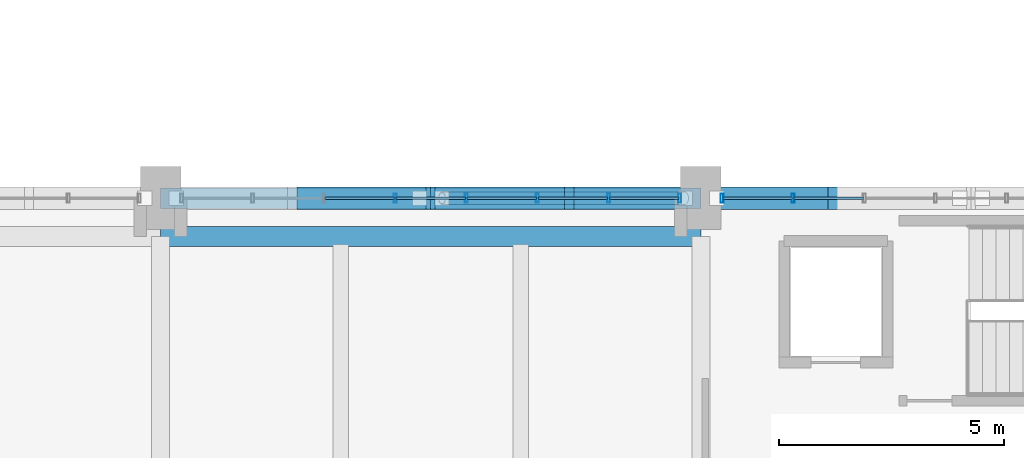
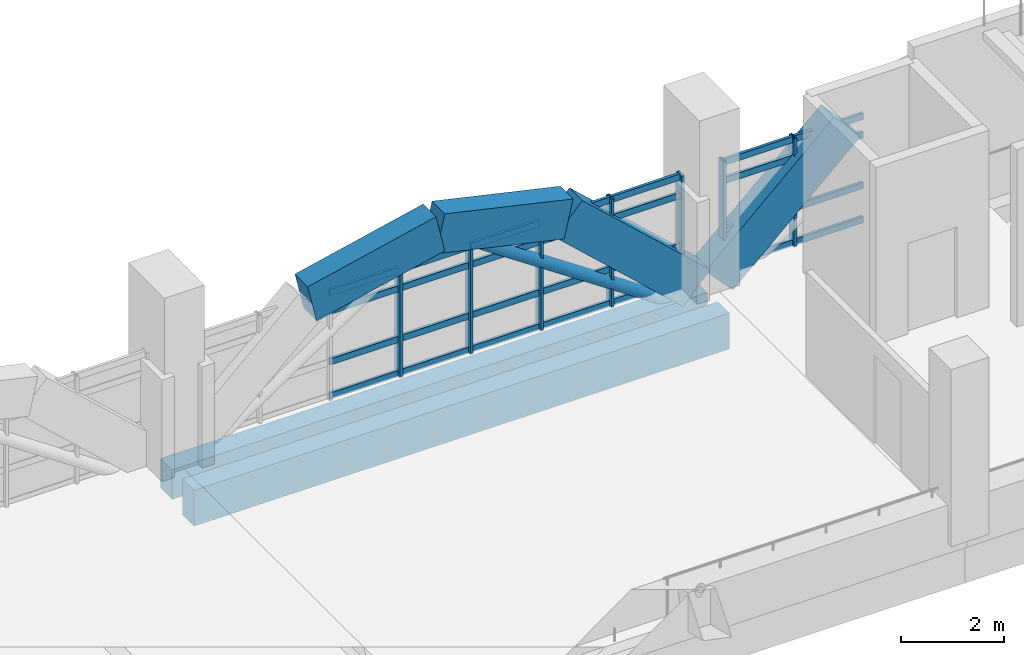
# One storey, part 59 of 161: 36 members, 6 beams, 2 elements without a shape of their own.
"""IFC4 building model written with IfcOpenShell, lengths in metres."""

from ifc_helpers import new_model, si_unit, direction, frame, origin, origin_2d, place, context, subcontext, project, spatial, rectangle, hollow_rectangle, hollow_circle, extrude, material, layer, layer_set, material_profile, profile_set, type_object, element, aggregate, save


model = new_model("IFC4")

# Units and contexts
model_context = context("Model", 3, precision=1e-05, world=origin(), true_north=direction((0.0, 1.0)))
body_context = subcontext(model_context, "Body", "Model", "MODEL_VIEW")
ifc_project = project(units=[si_unit("LENGTHUNIT", "METRE"), si_unit("AREAUNIT", "SQUARE_METRE"), si_unit("VOLUMEUNIT", "CUBIC_METRE"), si_unit("PLANEANGLEUNIT", "RADIAN"), si_unit("MASSUNIT", "GRAM", prefix="KILO")], contexts=[model_context])

# Site, building, storey
site_placement = place(None, origin())
site = spatial("IfcSite", under=ifc_project, at=site_placement, CompositionType="ELEMENT")
building_placement = place(site_placement, origin())
building = spatial("IfcBuilding", under=site, at=building_placement, Name="Mersad Railyard Sports Hall", CompositionType="ELEMENT")
storey_placement = place(building_placement, frame((0.0, 0.0, 4.800048828125)))
storey = spatial("IfcBuildingStorey", under=building, at=storey_placement, Name="L01", CompositionType="ELEMENT", Elevation=4.800048828125)

# Curtain wall, members
ifc_material_1 = material(Name="Aluminium 6063-T6", Category="aluminium")
ifc_layer = layer(ifc_material_1, 0.199951171875)
ifc_layer_set = layer_set([ifc_layer], Name="Aluminium 6063-T6")
curtain_wall_type = type_object("IfcCurtainWallType", Name="ARC-CW-CW02", PredefinedType="USERDEFINED", material=ifc_layer_set)
curtain_wall_1_placement = place(storey_placement, origin())
curtain_wall_1 = element("IfcCurtainWall", 1, at=curtain_wall_1_placement, inside=storey, type_object=curtain_wall_type, Name="Curtain wall CW02-0018", ObjectType="CURTAIN WALL", PredefinedType="USERDEFINED")
ifc_material_profile_1 = material_profile(ifc_material_1, hollow_rectangle(XDim=0.06494140625, YDim=0.199951171875, WallThickness=0.0048828125, at=origin_2d()), Name="AL MULLION 65x200x5")
ifc_profile_set_1 = profile_set([ifc_material_profile_1], Name="Aluminium 6063-T6")
member_type_1 = type_object("IfcMemberType", Name="ARC-CW-MUL02", PredefinedType="MULLION", material=ifc_profile_set_1)
member_1_placement = place(storey_placement, frame((72.2099609375, 53.5, -0.02001953125), z_axis=(0.0, 0.0, 1.0), x_axis=(1.0, 0.0, 0.0)))
member_1 = element("IfcMember", 2, at=member_1_placement, type_object=member_type_1, Name="CW02 Mullion 4", PredefinedType="MULLION", context=body_context, shape_type="SweptSolid", body=[
    extrude(hollow_rectangle(XDim=0.06494140625, YDim=0.199951171875, WallThickness=0.0048828125, at=origin_2d()), origin(), (0.0, 0.0, 1.0), 2.570068359375),
])
member_2_placement = place(storey_placement, frame((73.7900390625, 53.5, -0.02001953125), z_axis=(0.0, 0.0, 1.0), x_axis=(1.0, 0.0, 0.0)))
member_2 = element("IfcMember", 3, at=member_2_placement, type_object=member_type_1, Name="CW02 Mullion 5", PredefinedType="MULLION", context=body_context, shape_type="SweptSolid", body=[
    extrude(hollow_rectangle(XDim=0.06494140625, YDim=0.199951171875, WallThickness=0.0048828125, at=origin_2d()), origin(), (0.0, 0.0, 1.0), 2.570068359375),
])
member_3_placement = place(storey_placement, frame((75.3701171875, 53.5, -0.02001953125), z_axis=(0.0, 0.0, 1.0), x_axis=(1.0, 0.0, 0.0)))
member_3 = element("IfcMember", 4, at=member_3_placement, type_object=member_type_1, Name="CW02 Mullion 6", PredefinedType="MULLION", context=body_context, shape_type="SweptSolid", body=[
    extrude(hollow_rectangle(XDim=0.06494140625, YDim=0.199951171875, WallThickness=0.0048828125, at=origin_2d()), origin(), (0.0, 0.0, 1.0), 2.570068359375),
])
member_4_placement = place(storey_placement, frame((76.949951171875, 53.5, -0.02001953125), z_axis=(0.0, 0.0, 1.0), x_axis=(1.0, 0.0, 0.0)))
member_4 = element("IfcMember", 5, at=member_4_placement, type_object=member_type_1, Name="CW02 Mullion 7", PredefinedType="MULLION", context=body_context, shape_type="SweptSolid", body=[
    extrude(hollow_rectangle(XDim=0.06494140625, YDim=0.199951171875, WallThickness=0.0048828125, at=origin_2d()), origin(), (0.0, 0.0, 1.0), 2.570068359375),
])
member_5_placement = place(storey_placement, frame((78.530029296875, 53.5, -0.02001953125), z_axis=(0.0, 0.0, 1.0), x_axis=(1.0, 0.0, 0.0)))
member_5 = element("IfcMember", 6, at=member_5_placement, type_object=member_type_1, Name="CW02 Mullion 8", PredefinedType="MULLION", context=body_context, shape_type="SweptSolid", body=[
    extrude(hollow_rectangle(XDim=0.06494140625, YDim=0.199951171875, WallThickness=0.0048828125, at=origin_2d()), origin(), (0.0, 0.0, 1.0), 2.570068359375),
])

curtain_wall_2_placement = place(storey_placement, origin())
curtain_wall_2 = element("IfcCurtainWall", 7, at=curtain_wall_2_placement, inside=storey, type_object=curtain_wall_type, Name="Curtain wall CW02-0022", ObjectType="CURTAIN WALL", PredefinedType="USERDEFINED")
member_6_placement = place(storey_placement, frame((79.469970703125, 53.5, -0.02001953125), z_axis=(0.0, 0.0, 1.0), x_axis=(1.0, 0.0, 0.0)))
member_6 = element("IfcMember", 8, at=member_6_placement, type_object=member_type_1, Name="CW02 Mullion 1", PredefinedType="MULLION", context=body_context, shape_type="SweptSolid", body=[
    extrude(hollow_rectangle(XDim=0.06494140625, YDim=0.199951171875, WallThickness=0.0048828125, at=origin_2d()), origin(), (0.0, 0.0, 1.0), 2.570068359375),
])
member_7_placement = place(storey_placement, frame((81.050048828125, 53.5, -0.02001953125), z_axis=(0.0, 0.0, 1.0), x_axis=(1.0, 0.0, 0.0)))
member_7 = element("IfcMember", 9, at=member_7_placement, type_object=member_type_1, Name="CW02 Mullion 2", PredefinedType="MULLION", context=body_context, shape_type="SweptSolid", body=[
    extrude(hollow_rectangle(XDim=0.06494140625, YDim=0.199951171875, WallThickness=0.0048828125, at=origin_2d()), origin(), (0.0, 0.0, 1.0), 2.570068359375),
])

# Member
ifc_material_profile_2 = material_profile(ifc_material_1, hollow_rectangle(XDim=0.06494140625, YDim=0.14990234375, WallThickness=0.00439453125, at=origin_2d()), Name="AL TRANSOM 65x150x4.5")
ifc_profile_set_2 = profile_set([ifc_material_profile_2], Name="Aluminium 6063-T6")
member_type_2 = type_object("IfcMemberType", Name="ARC-CW-TRN02", PredefinedType="USERDEFINED", material=ifc_profile_set_2)
member_8_placement = place(storey_placement, frame((70.64990234375, 53.5, 0.0400390625), z_axis=(1.0, 0.0, 0.0), x_axis=(0.0, 1.0, 0.0)))
member_8 = element("IfcMember", 10, at=member_8_placement, type_object=member_type_2, Name="CW02 Transom 1-3", ObjectType="TRANSOM", PredefinedType="USERDEFINED", context=body_context, shape_type="SweptSolid", body=[
    extrude(hollow_rectangle(XDim=0.06494140625, YDim=0.14990234375, WallThickness=0.00439453125, at=origin_2d()), origin(), (0.0, 0.0, 1.0), 1.5400390625),
])

member_9_placement = place(storey_placement, frame((72.22998046875, 53.5, 0.0400390625), z_axis=(1.0, 0.0, 0.0), x_axis=(0.0, 1.0, 0.0)))
member_9 = element("IfcMember", 11, at=member_9_placement, type_object=member_type_2, Name="CW02 Transom 1-4", ObjectType="TRANSOM", PredefinedType="USERDEFINED", context=body_context, shape_type="SweptSolid", body=[
    extrude(hollow_rectangle(XDim=0.06494140625, YDim=0.14990234375, WallThickness=0.00439453125, at=origin_2d()), origin(), (0.0, 0.0, 1.0), 1.5400390625),
])

member_10_placement = place(storey_placement, frame((73.81005859375, 53.5, 0.0400390625), z_axis=(1.0, 0.0, 0.0), x_axis=(0.0, 1.0, 0.0)))
member_10 = element("IfcMember", 12, at=member_10_placement, type_object=member_type_2, Name="CW02 Transom 1-5", ObjectType="TRANSOM", PredefinedType="USERDEFINED", context=body_context, shape_type="SweptSolid", body=[
    extrude(hollow_rectangle(XDim=0.06494140625, YDim=0.14990234375, WallThickness=0.00439453125, at=origin_2d()), origin(), (0.0, 0.0, 1.0), 1.5400390625),
])

member_11_placement = place(storey_placement, frame((75.389892578125, 53.5, 0.0400390625), z_axis=(1.0, 0.0, 0.0), x_axis=(0.0, 1.0, 0.0)))
member_11 = element("IfcMember", 13, at=member_11_placement, type_object=member_type_2, Name="CW02 Transom 1-6", ObjectType="TRANSOM", PredefinedType="USERDEFINED", context=body_context, shape_type="SweptSolid", body=[
    extrude(hollow_rectangle(XDim=0.06494140625, YDim=0.14990234375, WallThickness=0.00439453125, at=origin_2d()), origin(), (0.0, 0.0, 1.0), 1.5400390625),
])

member_12_placement = place(storey_placement, frame((76.969970703125, 53.5, 0.0400390625), z_axis=(1.0, 0.0, 0.0), x_axis=(0.0, 1.0, 0.0)))
member_12 = element("IfcMember", 14, at=member_12_placement, type_object=member_type_2, Name="CW02 Transom 1-7", ObjectType="TRANSOM", PredefinedType="USERDEFINED", context=body_context, shape_type="SweptSolid", body=[
    extrude(hollow_rectangle(XDim=0.06494140625, YDim=0.14990234375, WallThickness=0.00439453125, at=origin_2d()), origin(), (0.0, 0.0, 1.0), 1.5400390625),
])

member_13_placement = place(storey_placement, frame((70.64990234375, 53.5, 0.849853515625), z_axis=(1.0, 0.0, 0.0), x_axis=(0.0, 1.0, 0.0)))
member_13 = element("IfcMember", 15, at=member_13_placement, type_object=member_type_2, Name="CW02 Transom 2-3", ObjectType="TRANSOM", PredefinedType="USERDEFINED", context=body_context, shape_type="SweptSolid", body=[
    extrude(hollow_rectangle(XDim=0.06494140625, YDim=0.14990234375, WallThickness=0.00439453125, at=origin_2d()), origin(), (0.0, 0.0, 1.0), 1.5400390625),
])

member_14_placement = place(storey_placement, frame((72.22998046875, 53.5, 0.849853515625), z_axis=(1.0, 0.0, 0.0), x_axis=(0.0, 1.0, 0.0)))
member_14 = element("IfcMember", 16, at=member_14_placement, type_object=member_type_2, Name="CW02 Transom 2-4", ObjectType="TRANSOM", PredefinedType="USERDEFINED", context=body_context, shape_type="SweptSolid", body=[
    extrude(hollow_rectangle(XDim=0.06494140625, YDim=0.14990234375, WallThickness=0.00439453125, at=origin_2d()), origin(), (0.0, 0.0, 1.0), 1.5400390625),
])

member_15_placement = place(storey_placement, frame((73.81005859375, 53.5, 0.849853515625), z_axis=(1.0, 0.0, 0.0), x_axis=(0.0, 1.0, 0.0)))
member_15 = element("IfcMember", 17, at=member_15_placement, type_object=member_type_2, Name="CW02 Transom 2-5", ObjectType="TRANSOM", PredefinedType="USERDEFINED", context=body_context, shape_type="SweptSolid", body=[
    extrude(hollow_rectangle(XDim=0.06494140625, YDim=0.14990234375, WallThickness=0.00439453125, at=origin_2d()), origin(), (0.0, 0.0, 1.0), 1.5400390625),
])

member_16_placement = place(storey_placement, frame((75.389892578125, 53.5, 0.849853515625), z_axis=(1.0, 0.0, 0.0), x_axis=(0.0, 1.0, 0.0)))
member_16 = element("IfcMember", 18, at=member_16_placement, type_object=member_type_2, Name="CW02 Transom 2-6", ObjectType="TRANSOM", PredefinedType="USERDEFINED", context=body_context, shape_type="SweptSolid", body=[
    extrude(hollow_rectangle(XDim=0.06494140625, YDim=0.14990234375, WallThickness=0.00439453125, at=origin_2d()), origin(), (0.0, 0.0, 1.0), 1.5400390625),
])

member_17_placement = place(storey_placement, frame((76.969970703125, 53.5, 0.849853515625), z_axis=(1.0, 0.0, 0.0), x_axis=(0.0, 1.0, 0.0)))
member_17 = element("IfcMember", 19, at=member_17_placement, type_object=member_type_2, Name="CW02 Transom 2-7", ObjectType="TRANSOM", PredefinedType="USERDEFINED", context=body_context, shape_type="SweptSolid", body=[
    extrude(hollow_rectangle(XDim=0.06494140625, YDim=0.14990234375, WallThickness=0.00439453125, at=origin_2d()), origin(), (0.0, 0.0, 1.0), 1.5400390625),
])

member_18_placement = place(storey_placement, frame((70.64990234375, 53.5, 2.050048828125), z_axis=(1.0, 0.0, 0.0), x_axis=(0.0, 1.0, 0.0)))
member_18 = element("IfcMember", 20, at=member_18_placement, type_object=member_type_2, Name="CW02 Transom 3-3", ObjectType="TRANSOM", PredefinedType="USERDEFINED", context=body_context, shape_type="SweptSolid", body=[
    extrude(hollow_rectangle(XDim=0.06494140625, YDim=0.14990234375, WallThickness=0.00439453125, at=origin_2d()), origin(), (0.0, 0.0, 1.0), 1.5400390625),
])

member_19_placement = place(storey_placement, frame((72.22998046875, 53.5, 2.050048828125), z_axis=(1.0, 0.0, 0.0), x_axis=(0.0, 1.0, 0.0)))
member_19 = element("IfcMember", 21, at=member_19_placement, type_object=member_type_2, Name="CW02 Transom 3-4", ObjectType="TRANSOM", PredefinedType="USERDEFINED", context=body_context, shape_type="SweptSolid", body=[
    extrude(hollow_rectangle(XDim=0.06494140625, YDim=0.14990234375, WallThickness=0.00439453125, at=origin_2d()), origin(), (0.0, 0.0, 1.0), 1.5400390625),
])

member_20_placement = place(storey_placement, frame((73.81005859375, 53.5, 2.050048828125), z_axis=(1.0, 0.0, 0.0), x_axis=(0.0, 1.0, 0.0)))
member_20 = element("IfcMember", 22, at=member_20_placement, type_object=member_type_2, Name="CW02 Transom 3-5", ObjectType="TRANSOM", PredefinedType="USERDEFINED", context=body_context, shape_type="SweptSolid", body=[
    extrude(hollow_rectangle(XDim=0.06494140625, YDim=0.14990234375, WallThickness=0.00439453125, at=origin_2d()), origin(), (0.0, 0.0, 1.0), 1.5400390625),
])

member_21_placement = place(storey_placement, frame((75.389892578125, 53.5, 2.050048828125), z_axis=(1.0, 0.0, 0.0), x_axis=(0.0, 1.0, 0.0)))
member_21 = element("IfcMember", 23, at=member_21_placement, type_object=member_type_2, Name="CW02 Transom 3-6", ObjectType="TRANSOM", PredefinedType="USERDEFINED", context=body_context, shape_type="SweptSolid", body=[
    extrude(hollow_rectangle(XDim=0.06494140625, YDim=0.14990234375, WallThickness=0.00439453125, at=origin_2d()), origin(), (0.0, 0.0, 1.0), 1.5400390625),
])

member_22_placement = place(storey_placement, frame((76.969970703125, 53.5, 2.050048828125), z_axis=(1.0, 0.0, 0.0), x_axis=(0.0, 1.0, 0.0)))
member_22 = element("IfcMember", 24, at=member_22_placement, type_object=member_type_2, Name="CW02 Transom 3-7", ObjectType="TRANSOM", PredefinedType="USERDEFINED", context=body_context, shape_type="SweptSolid", body=[
    extrude(hollow_rectangle(XDim=0.06494140625, YDim=0.14990234375, WallThickness=0.00439453125, at=origin_2d()), origin(), (0.0, 0.0, 1.0), 1.5400390625),
])

member_23_placement = place(storey_placement, frame((70.64990234375, 53.5, 2.489990234375), z_axis=(1.0, 0.0, 0.0), x_axis=(0.0, 1.0, 0.0)))
member_23 = element("IfcMember", 25, at=member_23_placement, type_object=member_type_2, Name="CW02 Transom 4-3", ObjectType="TRANSOM", PredefinedType="USERDEFINED", context=body_context, shape_type="SweptSolid", body=[
    extrude(hollow_rectangle(XDim=0.06494140625, YDim=0.14990234375, WallThickness=0.00439453125, at=origin_2d()), origin(), (0.0, 0.0, 1.0), 1.5400390625),
])

member_24_placement = place(storey_placement, frame((72.22998046875, 53.5, 2.489990234375), z_axis=(1.0, 0.0, 0.0), x_axis=(0.0, 1.0, 0.0)))
member_24 = element("IfcMember", 26, at=member_24_placement, type_object=member_type_2, Name="CW02 Transom 4-4", ObjectType="TRANSOM", PredefinedType="USERDEFINED", context=body_context, shape_type="SweptSolid", body=[
    extrude(hollow_rectangle(XDim=0.06494140625, YDim=0.14990234375, WallThickness=0.00439453125, at=origin_2d()), origin(), (0.0, 0.0, 1.0), 1.5400390625),
])

member_25_placement = place(storey_placement, frame((73.81005859375, 53.5, 2.489990234375), z_axis=(1.0, 0.0, 0.0), x_axis=(0.0, 1.0, 0.0)))
member_25 = element("IfcMember", 27, at=member_25_placement, type_object=member_type_2, Name="CW02 Transom 4-5", ObjectType="TRANSOM", PredefinedType="USERDEFINED", context=body_context, shape_type="SweptSolid", body=[
    extrude(hollow_rectangle(XDim=0.06494140625, YDim=0.14990234375, WallThickness=0.00439453125, at=origin_2d()), origin(), (0.0, 0.0, 1.0), 1.5400390625),
])

member_26_placement = place(storey_placement, frame((75.389892578125, 53.5, 2.489990234375), z_axis=(1.0, 0.0, 0.0), x_axis=(0.0, 1.0, 0.0)))
member_26 = element("IfcMember", 28, at=member_26_placement, type_object=member_type_2, Name="CW02 Transom 4-6", ObjectType="TRANSOM", PredefinedType="USERDEFINED", context=body_context, shape_type="SweptSolid", body=[
    extrude(hollow_rectangle(XDim=0.06494140625, YDim=0.14990234375, WallThickness=0.00439453125, at=origin_2d()), origin(), (0.0, 0.0, 1.0), 1.5400390625),
])

member_27_placement = place(storey_placement, frame((76.969970703125, 53.5, 2.489990234375), z_axis=(1.0, 0.0, 0.0), x_axis=(0.0, 1.0, 0.0)))
member_27 = element("IfcMember", 29, at=member_27_placement, type_object=member_type_2, Name="CW02 Transom 4-7", ObjectType="TRANSOM", PredefinedType="USERDEFINED", context=body_context, shape_type="SweptSolid", body=[
    extrude(hollow_rectangle(XDim=0.06494140625, YDim=0.14990234375, WallThickness=0.00439453125, at=origin_2d()), origin(), (0.0, 0.0, 1.0), 1.5400390625),
])

aggregate(curtain_wall_1, [member_1, member_2, member_3, member_4, member_5, member_8, member_9, member_10, member_11, member_12, member_13, member_14, member_15, member_16, member_17, member_18, member_19, member_20, member_21, member_22, member_23, member_24, member_25, member_26, member_27])

member_28_placement = place(storey_placement, frame((79.489990234375, 53.5, 0.0400390625), z_axis=(1.0, 0.0, 0.0), x_axis=(0.0, 1.0, 0.0)))
member_28 = element("IfcMember", 30, at=member_28_placement, type_object=member_type_2, Name="CW02 Transom 1-1", ObjectType="TRANSOM", PredefinedType="USERDEFINED", context=body_context, shape_type="SweptSolid", body=[
    extrude(hollow_rectangle(XDim=0.06494140625, YDim=0.14990234375, WallThickness=0.00439453125, at=origin_2d()), origin(), (0.0, 0.0, 1.0), 1.5400390625),
])

member_29_placement = place(storey_placement, frame((81.070068359375, 53.5, 0.0400390625), z_axis=(1.0, 0.0, 0.0), x_axis=(0.0, 1.0, 0.0)))
member_29 = element("IfcMember", 31, at=member_29_placement, type_object=member_type_2, Name="CW02 Transom 1-2", ObjectType="TRANSOM", PredefinedType="USERDEFINED", context=body_context, shape_type="SweptSolid", body=[
    extrude(hollow_rectangle(XDim=0.06494140625, YDim=0.14990234375, WallThickness=0.00439453125, at=origin_2d()), origin(), (0.0, 0.0, 1.0), 1.5400390625),
])

member_30_placement = place(storey_placement, frame((79.489990234375, 53.5, 0.849853515625), z_axis=(1.0, 0.0, 0.0), x_axis=(0.0, 1.0, 0.0)))
member_30 = element("IfcMember", 32, at=member_30_placement, type_object=member_type_2, Name="CW02 Transom 2-1", ObjectType="TRANSOM", PredefinedType="USERDEFINED", context=body_context, shape_type="SweptSolid", body=[
    extrude(hollow_rectangle(XDim=0.06494140625, YDim=0.14990234375, WallThickness=0.00439453125, at=origin_2d()), origin(), (0.0, 0.0, 1.0), 1.5400390625),
])

member_31_placement = place(storey_placement, frame((81.070068359375, 53.5, 0.849853515625), z_axis=(1.0, 0.0, 0.0), x_axis=(0.0, 1.0, 0.0)))
member_31 = element("IfcMember", 33, at=member_31_placement, type_object=member_type_2, Name="CW02 Transom 2-2", ObjectType="TRANSOM", PredefinedType="USERDEFINED", context=body_context, shape_type="SweptSolid", body=[
    extrude(hollow_rectangle(XDim=0.06494140625, YDim=0.14990234375, WallThickness=0.00439453125, at=origin_2d()), origin(), (0.0, 0.0, 1.0), 1.5400390625),
])

member_32_placement = place(storey_placement, frame((79.489990234375, 53.5, 2.050048828125), z_axis=(1.0, 0.0, 0.0), x_axis=(0.0, 1.0, 0.0)))
member_32 = element("IfcMember", 34, at=member_32_placement, type_object=member_type_2, Name="CW02 Transom 3-1", ObjectType="TRANSOM", PredefinedType="USERDEFINED", context=body_context, shape_type="SweptSolid", body=[
    extrude(hollow_rectangle(XDim=0.06494140625, YDim=0.14990234375, WallThickness=0.00439453125, at=origin_2d()), origin(), (0.0, 0.0, 1.0), 1.5400390625),
])

member_33_placement = place(storey_placement, frame((81.070068359375, 53.5, 2.050048828125), z_axis=(1.0, 0.0, 0.0), x_axis=(0.0, 1.0, 0.0)))
member_33 = element("IfcMember", 35, at=member_33_placement, type_object=member_type_2, Name="CW02 Transom 3-2", ObjectType="TRANSOM", PredefinedType="USERDEFINED", context=body_context, shape_type="SweptSolid", body=[
    extrude(hollow_rectangle(XDim=0.06494140625, YDim=0.14990234375, WallThickness=0.00439453125, at=origin_2d()), origin(), (0.0, 0.0, 1.0), 1.5400390625),
])

member_34_placement = place(storey_placement, frame((79.489990234375, 53.5, 2.489990234375), z_axis=(1.0, 0.0, 0.0), x_axis=(0.0, 1.0, 0.0)))
member_34 = element("IfcMember", 36, at=member_34_placement, type_object=member_type_2, Name="CW02 Transom 4-1", ObjectType="TRANSOM", PredefinedType="USERDEFINED", context=body_context, shape_type="SweptSolid", body=[
    extrude(hollow_rectangle(XDim=0.06494140625, YDim=0.14990234375, WallThickness=0.00439453125, at=origin_2d()), origin(), (0.0, 0.0, 1.0), 1.5400390625),
])

member_35_placement = place(storey_placement, frame((81.070068359375, 53.5, 2.489990234375), z_axis=(1.0, 0.0, 0.0), x_axis=(0.0, 1.0, 0.0)))
member_35 = element("IfcMember", 37, at=member_35_placement, type_object=member_type_2, Name="CW02 Transom 4-2", ObjectType="TRANSOM", PredefinedType="USERDEFINED", context=body_context, shape_type="SweptSolid", body=[
    extrude(hollow_rectangle(XDim=0.06494140625, YDim=0.14990234375, WallThickness=0.00439453125, at=origin_2d()), origin(), (0.0, 0.0, 1.0), 1.5400390625),
])

aggregate(curtain_wall_2, [member_6, member_7, member_28, member_29, member_30, member_31, member_32, member_33, member_34, member_35])

# Beams
ifc_material_2 = material(Name="Concrete C40/50", Category="concrete")
ifc_material_profile_3 = material_profile(ifc_material_2, rectangle(XDim=0.449951171875, YDim=0.85009765625, at=origin_2d()), Name="RC 450x850")
ifc_profile_set_3 = profile_set([ifc_material_profile_3], Name="Concrete C40/50")
beam_type_1 = type_object("IfcBeamType", Name="STR-BM-B02", PredefinedType="BEAM", material=ifc_profile_set_3)
beam_1_placement = place(storey_placement, frame((67.0, 52.64990234375, -0.705078125), z_axis=(1.0, 0.0, 0.0), x_axis=(0.0, 1.0, 0.0)))
element("IfcBeam", 38, at=beam_1_placement, inside=storey, type_object=beam_type_1, Name="Beam B02-0309", PredefinedType="BEAM", context=body_context, shape_type="SweptSolid", body=[
    extrude(rectangle(XDim=0.449951171875, YDim=0.85009765625, at=origin_2d()), origin(), (0.0, 0.0, 1.0), 12.0),
])
ifc_material_3 = material(Name="Architectural concrete C40/50", Category="concrete")
ifc_material_profile_4 = material_profile(ifc_material_3, rectangle(XDim=0.449951171875, YDim=0.699951171875, at=origin_2d()), Name="RC 450x700")
ifc_profile_set_4 = profile_set([ifc_material_profile_4], Name="Architectural concrete C40/50")
beam_type_2 = type_object("IfcBeamType", Name="STR-BM-SP01", PredefinedType="SPANDREL", material=ifc_profile_set_4)
beam_2_placement = place(storey_placement, frame((67.0, 53.5, -0.66015625), z_axis=(1.0, 0.0, 0.0), x_axis=(0.0, 1.0, 0.0)))
element("IfcBeam", 39, at=beam_2_placement, inside=storey, type_object=beam_type_2, Name="Beam SP01-0375", PredefinedType="SPANDREL", context=body_context, shape_type="SweptSolid", body=[
    extrude(rectangle(XDim=0.449951171875, YDim=0.699951171875, at=origin_2d()), origin(), (0.0, 0.0, 1.0), 12.0),
])
ifc_material_4 = material(Name="Architectural concrete C50/60", Category="concrete")
ifc_material_profile_5 = material_profile(ifc_material_4, rectangle(XDim=0.5, YDim=0.89990234375, at=origin_2d()), Name="VR 500x900")
ifc_profile_set_5 = profile_set([ifc_material_profile_5], Name="Architectural concrete C50/60")
beam_type_3 = type_object("IfcBeamType", Name="STR-BM-VR02", PredefinedType="BEAM", material=ifc_profile_set_5)
for number, where, z_axis, x_axis, name in (
    (40, (70.125, 53.5, 2.54736328125), (0.97519301708, 0.0, 0.221356227467), (0.0, 1.0, 0.0), "Beam VR02-0379"),
    (41, (73.0, 53.5, 3.199951171875), (0.97519301708, 0.0, -0.221356227467), (0.0, 1.0, 0.0), "Beam VR02-0381"),
):
    element("IfcBeam", number, at=place(storey_placement, frame(where, z_axis=z_axis, x_axis=x_axis)), inside=storey, type_object=beam_type_3, Name=name, PredefinedType="BEAM", context=body_context, shape_type="SweptSolid", body=[
        extrude(rectangle(XDim=0.5, YDim=0.89990234375, at=origin_2d()), origin(), (0.0, 0.0, 1.0), 2.9482421875),
    ])
for number, where, z_axis, x_axis, name in (
    (42, (75.875, 53.5, 2.54736328125), (0.735617187873, 0.0, -0.677397485164), (0.0, 1.0, 0.0), "Beam VR02-0383"),
    (43, (79.25, 53.5, -0.10009765625), (0.735617187873, 0.0, 0.677397485164), (0.0, 1.0, 0.0), "Beam VR02-0387"),
):
    element("IfcBeam", number, at=place(storey_placement, frame(where, z_axis=z_axis, x_axis=x_axis)), inside=storey, type_object=beam_type_3, Name=name, PredefinedType="BEAM", context=body_context, shape_type="SweptSolid", body=[
        extrude(rectangle(XDim=0.5, YDim=0.89990234375, at=origin_2d()), origin(), (0.0, 0.0, 1.0), 3.908203125),
    ])

# Member
ifc_material_5 = material(Name="Steel S355", Category="steel")
ifc_material_profile_6 = material_profile(ifc_material_5, hollow_circle(Radius=0.136474609375, WallThickness=0.012451171875, at=origin_2d()), Name="CHS 273x12.5")
ifc_profile_set_6 = profile_set([ifc_material_profile_6], Name="Steel S355")
member_type_3 = type_object("IfcMemberType", Name="STR-MEM-BR02", PredefinedType="BRACE", material=ifc_profile_set_6)
member_36_placement = place(storey_placement, frame((78.64990234375, 53.5, -0.6201171875), z_axis=(-0.829190125257, 0.0, 0.558966668215), x_axis=(0.0, -1.0, 0.0)))
element("IfcMember", 44, at=member_36_placement, inside=storey, type_object=member_type_3, Name="Structural member BR02-0024", PredefinedType="BRACE", context=body_context, shape_type="SweptSolid", body=[
    extrude(hollow_circle(Radius=0.136474609375, WallThickness=0.012451171875, at=origin_2d()), origin(), (0.0, 0.0, 1.0), 6.51220703125),
])

save(model, "model.ifc")
